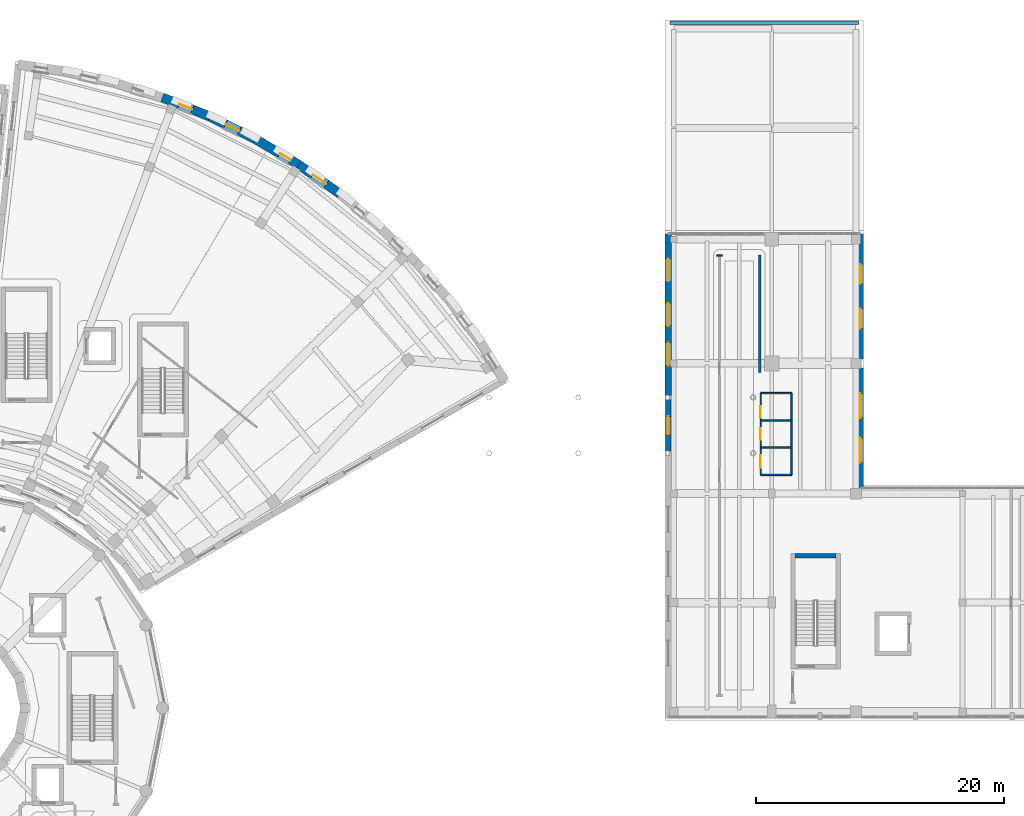
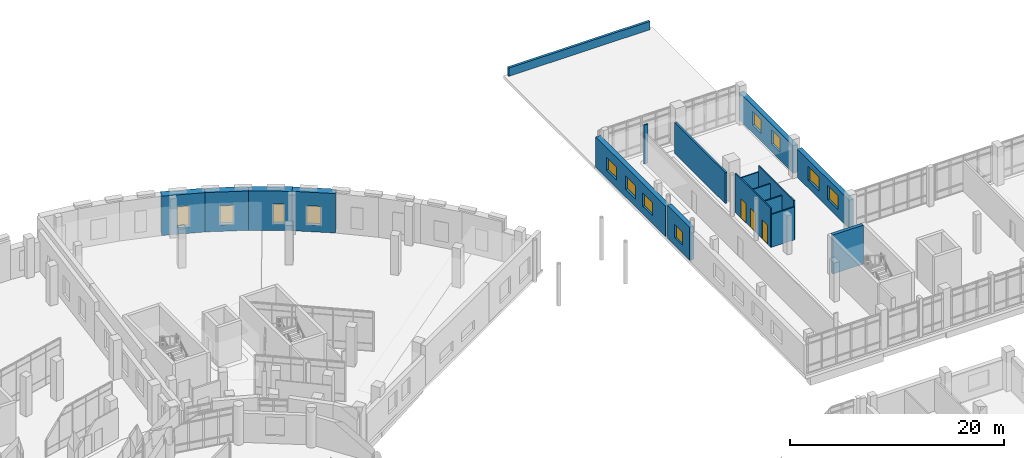
# One storey, part 72 of 89: 18 walls, 12 windows, 3 doors, 15 openings.
"""IFC4 building model written with IfcOpenShell, lengths in metres."""

from ifc_helpers import new_model, si_unit, direction, frame, frame_2d, origin, place, context, subcontext, project, spatial, rectangle, extrude, material, layer, layer_set, type_object, element, fill, save


model = new_model("IFC4")

# Units and contexts
model_context = context("Model", 3, precision=1e-05, world=origin(), true_north=direction((0.0, 1.0)))
body_context = subcontext(model_context, "Body", "Model", "MODEL_VIEW")
ifc_project = project(units=[si_unit("LENGTHUNIT", "METRE"), si_unit("AREAUNIT", "SQUARE_METRE"), si_unit("VOLUMEUNIT", "CUBIC_METRE"), si_unit("PLANEANGLEUNIT", "RADIAN"), si_unit("MASSUNIT", "GRAM", prefix="KILO")], contexts=[model_context])

# Site, building, storey
site_placement = place(None, origin())
site = spatial("IfcSite", under=ifc_project, at=site_placement, CompositionType="ELEMENT")
building_placement = place(site_placement, origin())
building = spatial("IfcBuilding", under=site, at=building_placement, Name="Soyqirgoq Riverine Aquarium", CompositionType="ELEMENT")
storey_placement = place(building_placement, frame((0.0, 0.0, 5.39990234375)))
storey = spatial("IfcBuildingStorey", under=building, at=storey_placement, Name="L02", CompositionType="ELEMENT", Elevation=5.39990234375)

# Walls
ifc_material_1 = material(Name="Concrete C40/50", Category="concrete")
ifc_layer_1 = layer(ifc_material_1, 0.35009765625)
ifc_layer_set_1 = layer_set([ifc_layer_1], Name="Concrete C40/50")
wall_type_1 = type_object("IfcWallType", Name="CoreShearWall_350_C40", PredefinedType="SHEAR", material=ifc_layer_set_1)
wall_1_placement = place(storey_placement, frame((127.800048828125, 69.27490234375, 0.0), z_axis=(0.0, 0.0, 1.0), x_axis=(-1.0, 0.0, 0.0)))
element("IfcWall", 1, at=wall_1_placement, inside=storey, type_object=wall_type_1, Name="CORE-7 L02 Stair Core Shear Wall BACK", PredefinedType="SHEAR", context=body_context, shape_type="SweptSolid", body=[
    extrude(rectangle(XDim=3.300048828125, YDim=0.35009765625, at=frame_2d((1.64990234375, 0.0))), origin(), (0.0, 0.0, 1.0), 4.4501953125),
])
ifc_material_2 = material(Name="Precast concrete C40/50", Category="concrete")
ifc_layer_2 = layer(ifc_material_2, 0.260009765625)
ifc_layer_set_2 = layer_set([ifc_layer_2], Name="Precast concrete C40/50")
wall_type_2 = type_object("IfcWallType", Name="ParapetWall_260", PredefinedType="PARAPET", material=ifc_layer_set_2)
wall_2_placement = place(storey_placement, frame((114.3798828125, 112.280029296875, 0.0), z_axis=(0.0, 0.0, 1.0), x_axis=(1.0, 0.0, 0.0)))
element("IfcWall", 2, at=wall_2_placement, inside=storey, type_object=wall_type_2, Name="L02 Roof Parapet Upstand 008", PredefinedType="PARAPET", context=body_context, shape_type="SweptSolid", body=[
    extrude(rectangle(XDim=15.240234375, YDim=0.260009765625, at=frame_2d((7.6201171875, 0.0))), origin(), (0.0, 0.0, 1.0), 0.9501953125),
])
ifc_material_3 = material(Name="Lightweight steel-stud gypsum partition", Category="steel")
ifc_layer_3 = layer(ifc_material_3, 0.1201171875)
ifc_layer_set_3 = layer_set([ifc_layer_3], Name="Lightweight steel-stud gypsum partition")
wall_type_3 = type_object("IfcWallType", Name="PartitionWall_120_Std", PredefinedType="PARTITIONING", material=ifc_layer_set_3)
wall_3_placement = place(storey_placement, frame((118.179931640625, 93.5, 0.0), z_axis=(0.0, 0.0, 1.0), x_axis=(1.0, 0.0, 0.0)))
element("IfcWall", 3, at=wall_3_placement, inside=storey, type_object=wall_type_3, Name="V7 L02 Jamb Return Pier", PredefinedType="PARTITIONING", context=body_context, shape_type="SweptSolid", body=[
    extrude(rectangle(XDim=0.440185546875, YDim=0.1201171875, at=frame_2d((0.22021484375, 0.0))), origin(), (0.0, 0.0, 1.0), 4.4501953125),
])

# Wall, openings, doors
ifc_material_4 = material(Name="Moisture-resistant cement-board wet-room partition", Category="gypsum")
ifc_layer_4 = layer(ifc_material_4, 0.125)
ifc_layer_set_4 = layer_set([ifc_layer_4], Name="Moisture-resistant cement-board wet-room partition")
wall_type_4 = type_object("IfcWallType", Name="PartitionWall_125_Wet", PredefinedType="PARTITIONING", material=ifc_layer_set_4)
wall_4_placement = place(storey_placement, frame((121.699951171875, 75.800048828125, 0.0), z_axis=(0.0, 0.0, 1.0), x_axis=(0.0, 1.0, 0.0)))
wall_4 = element("IfcWall", 4, at=wall_4_placement, inside=storey, type_object=wall_type_4, Name="V7 L02 WC Suite Front Wall", PredefinedType="PARTITIONING", context=body_context, shape_type="SweptSolid", body=[
    extrude(rectangle(XDim=6.599853515625, YDim=0.125, at=frame_2d((3.2998046875, 0.0))), origin(), (0.0, 0.0, 1.0), 4.4501953125),
])
opening_1_placement = place(wall_4_placement, frame((0.60009765625, 0.0, 0.0)))
opening_1 = element("IfcOpeningElement", 5, at=opening_1_placement, cuts=wall_4, Name="Opening ID-05", PredefinedType="OPENING", context=body_context, shape_type="SweptSolid", body=[
    extrude(rectangle(XDim=1.0, YDim=2.199951171875, at=frame_2d((0.5, 1.10009765625))), frame((0.0, 0.072509765625, 0.0), z_axis=(0.0, -1.0, 0.0), x_axis=(1.0, 0.0, 0.0)), (0.0, 0.0, 1.0), 0.14501953125),
])
opening_2_placement = place(wall_4_placement, frame((2.824951171875, 0.0, 0.0)))
opening_2 = element("IfcOpeningElement", 6, at=opening_2_placement, cuts=wall_4, Name="Opening ID-06", PredefinedType="OPENING", context=body_context, shape_type="SweptSolid", body=[
    extrude(rectangle(XDim=0.949951171875, YDim=2.199951171875, at=frame_2d((0.47509765625, 1.10009765625))), frame((0.0, 0.072509765625, 0.0), z_axis=(0.0, -1.0, 0.0), x_axis=(1.0, 0.0, 0.0)), (0.0, 0.0, 1.0), 0.14501953125),
])
opening_3_placement = place(wall_4_placement, frame((4.60009765625, 0.0, 0.0)))
opening_3 = element("IfcOpeningElement", 7, at=opening_3_placement, cuts=wall_4, Name="Opening ID-06", PredefinedType="OPENING", context=body_context, shape_type="SweptSolid", body=[
    extrude(rectangle(XDim=0.949951171875, YDim=2.199951171875, at=frame_2d((0.47509765625, 1.10009765625))), frame((0.0, 0.072509765625, 0.0), z_axis=(0.0, -1.0, 0.0), x_axis=(1.0, 0.0, 0.0)), (0.0, 0.0, 1.0), 0.14501953125),
])
ifc_material_5 = material(Name="Moisture-resistant HPL accessible washroom door", Category="wood")
door_type_1 = type_object("IfcDoorType", Name="AccessibleWCDoor_1000x2200", OperationType="NOTDEFINED", PredefinedType="DOOR", material=ifc_material_5)
door_1_placement = place(opening_1_placement, origin())
door_1 = element("IfcDoor", 8, at=door_1_placement, inside=storey, type_object=door_type_1, Name="IDR-V7-L02-0226 Accessible WC Door", OperationType="SINGLE_SWING_LEFT", OverallHeight=2.199951171875, OverallWidth=1.0, PredefinedType="DOOR", context=body_context, shape_type="SweptSolid", body=[
    extrude(rectangle(XDim=1.0, YDim=2.199951171875, at=frame_2d((0.5, 1.10009765625))), frame((0.0, 0.02490234375, 0.0), z_axis=(0.0, -1.0, 0.0), x_axis=(1.0, 0.0, 0.0)), (0.0, 0.0, 1.0), 0.050048828125),
])
fill(opening_1, door_1)
ifc_material_6 = material(Name="Moisture-resistant HPL washroom door", Category="wood")
door_type_2 = type_object("IfcDoorType", Name="WCDoor_950x2200", OperationType="NOTDEFINED", PredefinedType="DOOR", material=ifc_material_6)
door_2_placement = place(opening_2_placement, origin())
door_2 = element("IfcDoor", 9, at=door_2_placement, inside=storey, type_object=door_type_2, Name="IDR-V7-L02-0227 Public Female WC Door", OperationType="SINGLE_SWING_RIGHT", OverallHeight=2.199951171875, OverallWidth=0.949951171875, PredefinedType="DOOR", context=body_context, shape_type="SweptSolid", body=[
    extrude(rectangle(XDim=0.949951171875, YDim=2.199951171875, at=frame_2d((0.47509765625, 1.10009765625))), frame((0.0, 0.02490234375, 0.0), z_axis=(0.0, -1.0, 0.0), x_axis=(1.0, 0.0, 0.0)), (0.0, 0.0, 1.0), 0.050048828125),
])
fill(opening_2, door_2)
door_3_placement = place(opening_3_placement, origin())
door_3 = element("IfcDoor", 10, at=door_3_placement, inside=storey, type_object=door_type_2, Name="IDR-V7-L02-0228 Public Male WC Door", OperationType="SINGLE_SWING_LEFT", OverallHeight=2.199951171875, OverallWidth=0.949951171875, PredefinedType="DOOR", context=body_context, shape_type="SweptSolid", body=[
    extrude(rectangle(XDim=0.949951171875, YDim=2.199951171875, at=frame_2d((0.47509765625, 1.10009765625))), frame((0.0, 0.02490234375, 0.0), z_axis=(0.0, -1.0, 0.0), x_axis=(1.0, 0.0, 0.0)), (0.0, 0.0, 1.0), 0.050048828125),
])
fill(opening_3, door_3)

# Walls
wall_5_placement = place(storey_placement, frame((124.199951171875, 75.800048828125, 0.0), z_axis=(0.0, 0.0, 1.0), x_axis=(0.0, 1.0, 0.0)))
element("IfcWall", 11, at=wall_5_placement, inside=storey, type_object=wall_type_4, Name="V7 L02 WC Suite Back Wall", PredefinedType="PARTITIONING", context=body_context, shape_type="SweptSolid", body=[
    extrude(rectangle(XDim=6.599853515625, YDim=0.125, at=frame_2d((3.2998046875, 0.0))), origin(), (0.0, 0.0, 1.0), 4.4501953125),
])
for number, where, z_axis, x_axis, name in (
    (12, (121.699951171875, 75.800048828125, 0.0), (0.0, 0.0, 1.0), (1.0, 0.0, 0.0), "V7 L02 WC Suite South Wall"),
    (13, (121.699951171875, 82.39990234375, 0.0), (0.0, 0.0, 1.0), (1.0, 0.0, 0.0), "V7 L02 WC Suite North Wall"),
    (14, (121.699951171875, 78.0, 0.0), (0.0, 0.0, 1.0), (1.0, 0.0, 0.0), "V7 L02 WC Cubicle Divider 1"),
    (15, (121.699951171875, 80.199951171875, 0.0), (0.0, 0.0, 1.0), (1.0, 0.0, 0.0), "V7 L02 WC Cubicle Divider 2"),
):
    element("IfcWall", number, at=place(storey_placement, frame(where, z_axis=z_axis, x_axis=x_axis)), inside=storey, type_object=wall_type_4, Name=name, PredefinedType="PARTITIONING", context=body_context, shape_type="SweptSolid", body=[
        extrude(rectangle(XDim=2.5, YDim=0.125, at=frame_2d((1.25, 0.0))), origin(), (0.0, 0.0, 1.0), 3.75),
    ])
ifc_material_7 = material(Name="Fire-rated calcium silicate twin-stud partition", Category="gypsum")
ifc_layer_5 = layer(ifc_material_7, 0.199951171875)
ifc_layer_set_5 = layer_set([ifc_layer_5], Name="Fire-rated calcium silicate twin-stud partition")
wall_type_5 = type_object("IfcWallType", Name="PartitionWall_200_EI90", PredefinedType="PARTITIONING", material=ifc_layer_set_5)
wall_6_placement = place(storey_placement, frame((121.6298828125, 93.530029296875, 0.0), z_axis=(0.0, 0.0, 1.0), x_axis=(0.0, -1.0, 0.0)))
element("IfcWall", 16, at=wall_6_placement, inside=storey, type_object=wall_type_5, Name="Quarantine Holding Suite Partition Wall", PredefinedType="PARTITIONING", context=body_context, shape_type="SweptSolid", body=[
    extrude(rectangle(XDim=9.449951171875, YDim=0.199951171875, at=frame_2d((4.72509765625, 0.0))), origin(), (0.0, 0.0, 1.0), 3.5400390625),
])

# Wall, opening, window
ifc_material_8 = material(Name="Honed travertine limestone cavity wall", Category="masonry")
ifc_layer_6 = layer(ifc_material_8, 0.449951171875)
ifc_layer_set_6 = layer_set([ifc_layer_6], Name="Honed travertine limestone cavity wall")
wall_type_6 = type_object("IfcWallType", Name="TravertineCavityWall_450", PredefinedType="SOLIDWALL", material=ifc_layer_set_6)
wall_7_placement = place(storey_placement, frame((114.25, 77.7158203125, 0.0), z_axis=(0.0, 0.0, 1.0), x_axis=(0.0, 1.0, 0.0)))
wall_7 = element("IfcWall", 17, at=wall_7_placement, inside=storey, type_object=wall_type_6, Name="V7 L02 Exterior Travertine Wall 0383", PredefinedType="SOLIDWALL", context=body_context, shape_type="SweptSolid", body=[
    extrude(rectangle(XDim=4.16845703125, YDim=0.449951171875, at=frame_2d((2.084228515625, 0.0))), origin(), (0.0, 0.0, 1.0), 3.7900390625),
])
opening_4_placement = place(wall_7_placement, frame((1.359130859375, 0.0, 0.89990234375)))
opening_4 = element("IfcOpeningElement", 18, at=opening_4_placement, cuts=wall_7, Name="Opening WN-15", PredefinedType="OPENING", context=body_context, shape_type="SweptSolid", body=[
    extrude(rectangle(XDim=1.449951171875, YDim=1.5, at=frame_2d((0.72509765625, 0.75))), frame((0.0, 0.23486328125, 0.0), z_axis=(0.0, -1.0, 0.0), x_axis=(1.0, 0.0, 0.0)), (0.0, 0.0, 1.0), 0.469970703125),
])
ifc_material_9 = material(Name="Thermally broken aluminium triple low-E window", Category="aluminium")
window_type_1 = type_object("IfcWindowType", Name="Win_Lab_1450x1500", PartitioningType="DOUBLE_PANEL_VERTICAL", PredefinedType="WINDOW", material=ifc_material_9)
window_1_placement = place(opening_4_placement, origin())
window_1 = element("IfcWindow", 19, at=window_1_placement, inside=storey, type_object=window_type_1, Name="V7 L02 Facade Window 0336", OverallHeight=1.5, OverallWidth=1.449951171875, PartitioningType="DOUBLE_PANEL_VERTICAL", PredefinedType="WINDOW", context=body_context, shape_type="SweptSolid", body=[
    extrude(rectangle(XDim=1.449951171875, YDim=1.5, at=frame_2d((0.72509765625, 0.75))), frame((0.0, 0.030029296875, 0.0), z_axis=(0.0, -1.0, 0.0), x_axis=(1.0, 0.0, 0.0)), (0.0, 0.0, 1.0), 0.06005859375),
])
fill(opening_4, window_1)

# Wall, openings, windows
ifc_material_10 = material(Name="Honed travertine limestone cavity wall", Category="masonry")
ifc_layer_7 = layer(ifc_material_10, 0.47998046875)
ifc_layer_set_7 = layer_set([ifc_layer_7], Name="Honed travertine limestone cavity wall")
wall_type_7 = type_object("IfcWallType", Name="TravertineCavityWall_480", PredefinedType="SOLIDWALL", material=ifc_layer_set_7)
wall_8_placement = place(storey_placement, frame((129.75, 84.429931640625, 0.0), z_axis=(0.0, 0.0, 1.0), x_axis=(0.0, -1.0, 0.0)))
wall_8 = element("IfcWall", 20, at=wall_8_placement, inside=storey, type_object=wall_type_7, Name="V7 L02 Exterior Travertine Wall 0386", PredefinedType="SOLIDWALL", context=body_context, shape_type="SweptSolid", body=[
    extrude(rectangle(XDim=9.679931640625, YDim=0.47998046875, at=frame_2d((4.83984375, 0.0))), origin(), (0.0, 0.0, 1.0), 3.239990234375),
])
opening_5_placement = place(wall_8_placement, frame((2.0400390625, 0.0, 0.89990234375)))
opening_5 = element("IfcOpeningElement", 21, at=opening_5_placement, cuts=wall_8, Name="Opening WN-07", PredefinedType="OPENING", context=body_context, shape_type="SweptSolid", body=[
    extrude(rectangle(XDim=2.0, YDim=1.60009765625, at=frame_2d((1.0, 0.800048828125))), frame((0.0, 0.25, 0.0), z_axis=(0.0, -1.0, 0.0), x_axis=(1.0, 0.0, 0.0)), (0.0, 0.0, 1.0), 0.5),
])
opening_6_placement = place(wall_8_placement, frame((5.639892578125, 0.0, 0.89990234375)))
opening_6 = element("IfcOpeningElement", 22, at=opening_6_placement, cuts=wall_8, Name="Opening WN-07", PredefinedType="OPENING", context=body_context, shape_type="SweptSolid", body=[
    extrude(rectangle(XDim=2.0, YDim=1.60009765625, at=frame_2d((1.0, 0.800048828125))), frame((0.0, 0.25, 0.0), z_axis=(0.0, -1.0, 0.0), x_axis=(1.0, 0.0, 0.0)), (0.0, 0.0, 1.0), 0.5),
])
ifc_material_11 = material(Name="Thermally broken aluminium triple low-E window", Category="aluminium")
window_type_2 = type_object("IfcWindowType", Name="Win_Lab_2000x1600", PartitioningType="TRIPLE_PANEL_VERTICAL", PredefinedType="WINDOW", material=ifc_material_11)
window_2_placement = place(opening_5_placement, origin())
window_2 = element("IfcWindow", 23, at=window_2_placement, inside=storey, type_object=window_type_2, Name="V7 L02 Facade Window 0342", OverallHeight=1.60009765625, OverallWidth=2.0, PartitioningType="TRIPLE_PANEL_VERTICAL", PredefinedType="WINDOW", context=body_context, shape_type="SweptSolid", body=[
    extrude(rectangle(XDim=2.0, YDim=1.60009765625, at=frame_2d((1.0, 0.800048828125))), frame((0.0, 0.030029296875, 0.0), z_axis=(0.0, -1.0, 0.0), x_axis=(1.0, 0.0, 0.0)), (0.0, 0.0, 1.0), 0.06005859375),
])
fill(opening_5, window_2)
window_3_placement = place(opening_6_placement, origin())
window_3 = element("IfcWindow", 24, at=window_3_placement, inside=storey, type_object=window_type_2, Name="V7 L02 Facade Window 0343", OverallHeight=1.60009765625, OverallWidth=2.0, PartitioningType="TRIPLE_PANEL_VERTICAL", PredefinedType="WINDOW", context=body_context, shape_type="SweptSolid", body=[
    extrude(rectangle(XDim=2.0, YDim=1.60009765625, at=frame_2d((1.0, 0.800048828125))), frame((0.0, 0.030029296875, 0.0), z_axis=(0.0, -1.0, 0.0), x_axis=(1.0, 0.0, 0.0)), (0.0, 0.0, 1.0), 0.06005859375),
])
fill(opening_6, window_3)

ifc_material_12 = material(Name="Honed travertine limestone cavity wall", Category="masonry")
ifc_layer_8 = layer(ifc_material_12, 0.5)
ifc_layer_set_8 = layer_set([ifc_layer_8], Name="Honed travertine limestone cavity wall")
wall_type_8 = type_object("IfcWallType", Name="TravertineCavityWall_500", PredefinedType="SOLIDWALL", material=ifc_layer_set_8)
wall_9_placement = place(storey_placement, frame((114.25, 82.2158203125, 0.0), z_axis=(0.0, 0.0, 1.0), x_axis=(0.0, 1.0, 0.0)))
wall_9 = element("IfcWall", 25, at=wall_9_placement, inside=storey, type_object=wall_type_8, Name="V7 L02 Exterior Travertine Wall 0384", PredefinedType="SOLIDWALL", context=body_context, shape_type="SweptSolid", body=[
    extrude(rectangle(XDim=13.0341796875, YDim=0.5, at=frame_2d((6.51708984375, 0.0))), origin(), (0.0, 0.0, 1.0), 3.489990234375),
])
opening_7_placement = place(wall_9_placement, frame((2.412109375, 0.0, 0.89990234375)))
opening_7 = element("IfcOpeningElement", 26, at=opening_7_placement, cuts=wall_9, Name="Opening WN-16", PredefinedType="OPENING", context=body_context, shape_type="SweptSolid", body=[
    extrude(rectangle(XDim=1.85009765625, YDim=1.5, at=frame_2d((0.925048828125, 0.75))), frame((0.0, 0.260009765625, 0.0), z_axis=(0.0, -1.0, 0.0), x_axis=(1.0, 0.0, 0.0)), (0.0, 0.0, 1.0), 0.52001953125),
])
opening_8_placement = place(wall_9_placement, frame((5.592041015625, 0.0, 0.89990234375)))
opening_8 = element("IfcOpeningElement", 27, at=opening_8_placement, cuts=wall_9, Name="Opening WN-16", PredefinedType="OPENING", context=body_context, shape_type="SweptSolid", body=[
    extrude(rectangle(XDim=1.85009765625, YDim=1.5, at=frame_2d((0.925048828125, 0.75))), frame((0.0, 0.260009765625, 0.0), z_axis=(0.0, -1.0, 0.0), x_axis=(1.0, 0.0, 0.0)), (0.0, 0.0, 1.0), 0.52001953125),
])
opening_9_placement = place(wall_9_placement, frame((9.192138671875, 0.0, 0.89990234375)))
opening_9 = element("IfcOpeningElement", 28, at=opening_9_placement, cuts=wall_9, Name="Opening WN-16", PredefinedType="OPENING", context=body_context, shape_type="SweptSolid", body=[
    extrude(rectangle(XDim=1.85009765625, YDim=1.5, at=frame_2d((0.925048828125, 0.75))), frame((0.0, 0.260009765625, 0.0), z_axis=(0.0, -1.0, 0.0), x_axis=(1.0, 0.0, 0.0)), (0.0, 0.0, 1.0), 0.52001953125),
])
ifc_material_13 = material(Name="Thermally broken aluminium triple low-E window", Category="aluminium")
window_type_3 = type_object("IfcWindowType", Name="Win_Lab_1850x1500", PartitioningType="DOUBLE_PANEL_VERTICAL", PredefinedType="WINDOW", material=ifc_material_13)
window_4_placement = place(opening_7_placement, origin())
window_4 = element("IfcWindow", 29, at=window_4_placement, inside=storey, type_object=window_type_3, Name="V7 L02 Facade Window 0337", OverallHeight=1.5, OverallWidth=1.85009765625, PartitioningType="DOUBLE_PANEL_VERTICAL", PredefinedType="WINDOW", context=body_context, shape_type="SweptSolid", body=[
    extrude(rectangle(XDim=1.85009765625, YDim=1.5, at=frame_2d((0.925048828125, 0.75))), frame((0.0, 0.030029296875, 0.0), z_axis=(0.0, -1.0, 0.0), x_axis=(1.0, 0.0, 0.0)), (0.0, 0.0, 1.0), 0.06005859375),
])
fill(opening_7, window_4)
window_5_placement = place(opening_8_placement, origin())
window_5 = element("IfcWindow", 30, at=window_5_placement, inside=storey, type_object=window_type_3, Name="V7 L02 Facade Window 0338", OverallHeight=1.5, OverallWidth=1.85009765625, PartitioningType="DOUBLE_PANEL_VERTICAL", PredefinedType="WINDOW", context=body_context, shape_type="SweptSolid", body=[
    extrude(rectangle(XDim=1.85009765625, YDim=1.5, at=frame_2d((0.925048828125, 0.75))), frame((0.0, 0.030029296875, 0.0), z_axis=(0.0, -1.0, 0.0), x_axis=(1.0, 0.0, 0.0)), (0.0, 0.0, 1.0), 0.06005859375),
])
fill(opening_8, window_5)
window_6_placement = place(opening_9_placement, origin())
window_6 = element("IfcWindow", 31, at=window_6_placement, inside=storey, type_object=window_type_3, Name="V7 L02 Facade Window 0339", OverallHeight=1.5, OverallWidth=1.85009765625, PartitioningType="DOUBLE_PANEL_VERTICAL", PredefinedType="WINDOW", context=body_context, shape_type="SweptSolid", body=[
    extrude(rectangle(XDim=1.85009765625, YDim=1.5, at=frame_2d((0.925048828125, 0.75))), frame((0.0, 0.030029296875, 0.0), z_axis=(0.0, -1.0, 0.0), x_axis=(1.0, 0.0, 0.0)), (0.0, 0.0, 1.0), 0.06005859375),
])
fill(opening_9, window_6)

wall_10_placement = place(storey_placement, frame((129.75, 95.25, 0.0), z_axis=(0.0, 0.0, 1.0), x_axis=(0.0, -1.0, 0.0)))
wall_10 = element("IfcWall", 32, at=wall_10_placement, inside=storey, type_object=wall_type_8, Name="V7 L02 Exterior Travertine Wall 0385", PredefinedType="SOLIDWALL", context=body_context, shape_type="SweptSolid", body=[
    extrude(rectangle(XDim=10.080078125, YDim=0.5, at=frame_2d((5.0400390625, 0.0))), origin(), (0.0, 0.0, 1.0), 3.14013671875),
])
opening_10_placement = place(wall_10_placement, frame((2.43994140625, 0.0, 0.89990234375)))
opening_10 = element("IfcOpeningElement", 33, at=opening_10_placement, cuts=wall_10, Name="Opening WN-06", PredefinedType="OPENING", context=body_context, shape_type="SweptSolid", body=[
    extrude(rectangle(XDim=1.60009765625, YDim=1.60009765625, at=frame_2d((0.800048828125, 0.800048828125))), frame((0.0, 0.260009765625, 0.0), z_axis=(0.0, -1.0, 0.0), x_axis=(1.0, 0.0, 0.0)), (0.0, 0.0, 1.0), 0.52001953125),
])
opening_11_placement = place(wall_10_placement, frame((6.0400390625, 0.0, 0.89990234375)))
opening_11 = element("IfcOpeningElement", 34, at=opening_11_placement, cuts=wall_10, Name="Opening WN-06", PredefinedType="OPENING", context=body_context, shape_type="SweptSolid", body=[
    extrude(rectangle(XDim=1.60009765625, YDim=1.60009765625, at=frame_2d((0.800048828125, 0.800048828125))), frame((0.0, 0.260009765625, 0.0), z_axis=(0.0, -1.0, 0.0), x_axis=(1.0, 0.0, 0.0)), (0.0, 0.0, 1.0), 0.52001953125),
])
ifc_material_14 = material(Name="Thermally broken aluminium triple low-E window", Category="aluminium")
window_type_4 = type_object("IfcWindowType", Name="Win_Lab_1600x1600", PartitioningType="DOUBLE_PANEL_VERTICAL", PredefinedType="WINDOW", material=ifc_material_14)
window_7_placement = place(opening_10_placement, origin())
window_7 = element("IfcWindow", 35, at=window_7_placement, inside=storey, type_object=window_type_4, Name="V7 L02 Facade Window 0340", OverallHeight=1.60009765625, OverallWidth=1.60009765625, PartitioningType="DOUBLE_PANEL_VERTICAL", PredefinedType="WINDOW", context=body_context, shape_type="SweptSolid", body=[
    extrude(rectangle(XDim=1.60009765625, YDim=1.60009765625, at=frame_2d((0.800048828125, 0.800048828125))), frame((0.0, 0.030029296875, 0.0), z_axis=(0.0, -1.0, 0.0), x_axis=(1.0, 0.0, 0.0)), (0.0, 0.0, 1.0), 0.06005859375),
])
fill(opening_10, window_7)
window_8_placement = place(opening_11_placement, origin())
window_8 = element("IfcWindow", 36, at=window_8_placement, inside=storey, type_object=window_type_4, Name="V7 L02 Facade Window 0341", OverallHeight=1.60009765625, OverallWidth=1.60009765625, PartitioningType="DOUBLE_PANEL_VERTICAL", PredefinedType="WINDOW", context=body_context, shape_type="SweptSolid", body=[
    extrude(rectangle(XDim=1.60009765625, YDim=1.60009765625, at=frame_2d((0.800048828125, 0.800048828125))), frame((0.0, 0.030029296875, 0.0), z_axis=(0.0, -1.0, 0.0), x_axis=(1.0, 0.0, 0.0)), (0.0, 0.0, 1.0), 0.06005859375),
])
fill(opening_11, window_8)

# Wall, opening, window
ifc_material_15 = material(Name="Honed travertine limestone cavity wall", Category="masonry")
ifc_layer_9 = layer(ifc_material_15, 0.75)
ifc_layer_set_9 = layer_set([ifc_layer_9], Name="Honed travertine limestone cavity wall")
wall_type_9 = type_object("IfcWallType", Name="TravertineNicheWall_750", PredefinedType="SOLIDWALL", material=ifc_layer_set_9)
wall_11_placement = place(storey_placement, frame((73.44140625, 106.2529296875, 0.0), z_axis=(0.0, 0.0, 1.0), x_axis=(0.928788263231, -0.370610795964, 0.0)))
wall_11 = element("IfcWall", 37, at=wall_11_placement, inside=storey, type_object=wall_type_9, Name="V5 L02 Exterior Travertine Wall 0268", PredefinedType="SOLIDWALL", context=body_context, shape_type="SweptSolid", body=[
    extrude(rectangle(XDim=4.102783203125, YDim=0.75, at=frame_2d((2.05126953125, 0.0))), origin(), (0.0, 0.0, 1.0), 4.5),
])
opening_12_placement = place(wall_11_placement, frame((1.501220703125, 0.0, 0.75)))
opening_12 = element("IfcOpeningElement", 38, at=opening_12_placement, cuts=wall_11, Name="Opening WN-02", PredefinedType="OPENING", context=body_context, shape_type="SweptSolid", body=[
    extrude(rectangle(XDim=1.10009765625, YDim=2.39990234375, at=frame_2d((0.550048828125, 1.199951171875))), frame((0.0, 0.385009765625, 0.0), z_axis=(0.0, -1.0, 0.0), x_axis=(1.0, 0.0, 0.0)), (0.0, 0.0, 1.0), 0.77001953125),
])
ifc_material_16 = material(Name="Thermally broken aluminium triple low-E window", Category="aluminium")
window_type_5 = type_object("IfcWindowType", Name="Win_Niche_1100x2400", PartitioningType="SINGLE_PANEL", PredefinedType="WINDOW", material=ifc_material_16)
window_9_placement = place(opening_12_placement, origin())
window_9 = element("IfcWindow", 39, at=window_9_placement, inside=storey, type_object=window_type_5, Name="V5 L02 Facade Window 0210", OverallHeight=2.39990234375, OverallWidth=1.10009765625, PartitioningType="SINGLE_PANEL", PredefinedType="WINDOW", context=body_context, shape_type="SweptSolid", body=[
    extrude(rectangle(XDim=1.10009765625, YDim=2.39990234375, at=frame_2d((0.550048828125, 1.199951171875))), frame((0.0, 0.030029296875, 0.0), z_axis=(0.0, -1.0, 0.0), x_axis=(1.0, 0.0, 0.0)), (0.0, 0.0, 1.0), 0.06005859375),
])
fill(opening_12, window_9)

wall_12_placement = place(storey_placement, frame((77.251953125, 104.732421875, 0.0), z_axis=(0.0, 0.0, 1.0), x_axis=(0.896877337999, -0.442279369385, 0.0)))
wall_12 = element("IfcWall", 40, at=wall_12_placement, inside=storey, type_object=wall_type_9, Name="V5 L02 Exterior Travertine Wall 0269", PredefinedType="SOLIDWALL", context=body_context, shape_type="SweptSolid", body=[
    extrude(rectangle(XDim=4.1025390625, YDim=0.75, at=frame_2d((2.05126953125, 0.0))), origin(), (0.0, 0.0, 1.0), 4.5),
])
opening_13_placement = place(wall_12_placement, frame((1.451416015625, 0.0, 0.75)))
opening_13 = element("IfcOpeningElement", 41, at=opening_13_placement, cuts=wall_12, Name="Opening WN-03", PredefinedType="OPENING", context=body_context, shape_type="SweptSolid", body=[
    extrude(rectangle(XDim=1.199951171875, YDim=2.199951171875, at=frame_2d((0.60009765625, 1.10009765625))), frame((0.0, 0.385009765625, 0.0), z_axis=(0.0, -1.0, 0.0), x_axis=(1.0, 0.0, 0.0)), (0.0, 0.0, 1.0), 0.77001953125),
])
ifc_material_17 = material(Name="Thermally broken aluminium triple low-E window", Category="aluminium")
window_type_6 = type_object("IfcWindowType", Name="Win_Niche_1200x2200", PartitioningType="DOUBLE_PANEL_VERTICAL", PredefinedType="WINDOW", material=ifc_material_17)
window_10_placement = place(opening_13_placement, origin())
window_10 = element("IfcWindow", 42, at=window_10_placement, inside=storey, type_object=window_type_6, Name="V5 L02 Facade Window 0211", OverallHeight=2.199951171875, OverallWidth=1.199951171875, PartitioningType="DOUBLE_PANEL_VERTICAL", PredefinedType="WINDOW", context=body_context, shape_type="SweptSolid", body=[
    extrude(rectangle(XDim=1.199951171875, YDim=2.199951171875, at=frame_2d((0.60009765625, 1.10009765625))), frame((0.0, 0.030029296875, 0.0), z_axis=(0.0, -1.0, 0.0), x_axis=(1.0, 0.0, 0.0)), (0.0, 0.0, 1.0), 0.06005859375),
])
fill(opening_13, window_10)

wall_13_placement = place(storey_placement, frame((80.931396484375, 102.91796875, 0.0), z_axis=(0.0, 0.0, 1.0), x_axis=(0.859408689216, -0.511289257564, 0.0)))
wall_13 = element("IfcWall", 43, at=wall_13_placement, inside=storey, type_object=wall_type_9, Name="V5 L02 Exterior Travertine Wall 0270", PredefinedType="SOLIDWALL", context=body_context, shape_type="SweptSolid", body=[
    extrude(rectangle(XDim=4.102783203125, YDim=0.75, at=frame_2d((2.05126953125, 0.0))), origin(), (0.0, 0.0, 1.0), 4.5),
])
opening_14_placement = place(wall_13_placement, frame((2.331298828125, 0.0, 0.75)))
opening_14 = element("IfcOpeningElement", 44, at=opening_14_placement, cuts=wall_13, Name="Opening WN-11", PredefinedType="OPENING", context=body_context, shape_type="SweptSolid", body=[
    extrude(rectangle(XDim=1.0, YDim=2.300048828125, at=frame_2d((0.5, 1.14990234375))), frame((0.0, 0.385009765625, 0.0), z_axis=(0.0, -1.0, 0.0), x_axis=(1.0, 0.0, 0.0)), (0.0, 0.0, 1.0), 0.77001953125),
])
ifc_material_18 = material(Name="Thermally broken aluminium triple low-E window", Category="aluminium")
window_type_7 = type_object("IfcWindowType", Name="Win_Niche_1000x2300", PartitioningType="SINGLE_PANEL", PredefinedType="WINDOW", material=ifc_material_18)
window_11_placement = place(opening_14_placement, origin())
window_11 = element("IfcWindow", 45, at=window_11_placement, inside=storey, type_object=window_type_7, Name="V5 L02 Facade Window 0212", OverallHeight=2.300048828125, OverallWidth=1.0, PartitioningType="SINGLE_PANEL", PredefinedType="WINDOW", context=body_context, shape_type="SweptSolid", body=[
    extrude(rectangle(XDim=1.0, YDim=2.300048828125, at=frame_2d((0.5, 1.14990234375))), frame((0.0, 0.030029296875, 0.0), z_axis=(0.0, -1.0, 0.0), x_axis=(1.0, 0.0, 0.0)), (0.0, 0.0, 1.0), 0.06005859375),
])
fill(opening_14, window_11)

wall_14_placement = place(storey_placement, frame((84.457275390625, 100.8203125, 0.0), z_axis=(0.0, 0.0, 1.0), x_axis=(0.816654387976, -0.577127031596, 0.0)))
wall_14 = element("IfcWall", 46, at=wall_14_placement, inside=storey, type_object=wall_type_9, Name="V5 L02 Exterior Travertine Wall 0271", PredefinedType="SOLIDWALL", context=body_context, shape_type="SweptSolid", body=[
    extrude(rectangle(XDim=4.1025390625, YDim=0.75, at=frame_2d((2.05126953125, 0.0))), origin(), (0.0, 0.0, 1.0), 4.5),
])
opening_15_placement = place(wall_14_placement, frame((1.4013671875, 0.0, 0.75)))
opening_15 = element("IfcOpeningElement", 47, at=opening_15_placement, cuts=wall_14, Name="Opening WN-12", PredefinedType="OPENING", context=body_context, shape_type="SweptSolid", body=[
    extrude(rectangle(XDim=1.300048828125, YDim=2.199951171875, at=frame_2d((0.64990234375, 1.10009765625))), frame((0.0, 0.385009765625, 0.0), z_axis=(0.0, -1.0, 0.0), x_axis=(1.0, 0.0, 0.0)), (0.0, 0.0, 1.0), 0.77001953125),
])
ifc_material_19 = material(Name="Thermally broken aluminium triple low-E window", Category="aluminium")
window_type_8 = type_object("IfcWindowType", Name="Win_Niche_1300x2200", PartitioningType="DOUBLE_PANEL_VERTICAL", PredefinedType="WINDOW", material=ifc_material_19)
window_12_placement = place(opening_15_placement, origin())
window_12 = element("IfcWindow", 48, at=window_12_placement, inside=storey, type_object=window_type_8, Name="V5 L02 Facade Window 0213", OverallHeight=2.199951171875, OverallWidth=1.300048828125, PartitioningType="DOUBLE_PANEL_VERTICAL", PredefinedType="WINDOW", context=body_context, shape_type="SweptSolid", body=[
    extrude(rectangle(XDim=1.300048828125, YDim=2.199951171875, at=frame_2d((0.64990234375, 1.10009765625))), frame((0.0, 0.030029296875, 0.0), z_axis=(0.0, -1.0, 0.0), x_axis=(1.0, 0.0, 0.0)), (0.0, 0.0, 1.0), 0.06005859375),
])
fill(opening_15, window_12)

save(model, "model.ifc")
